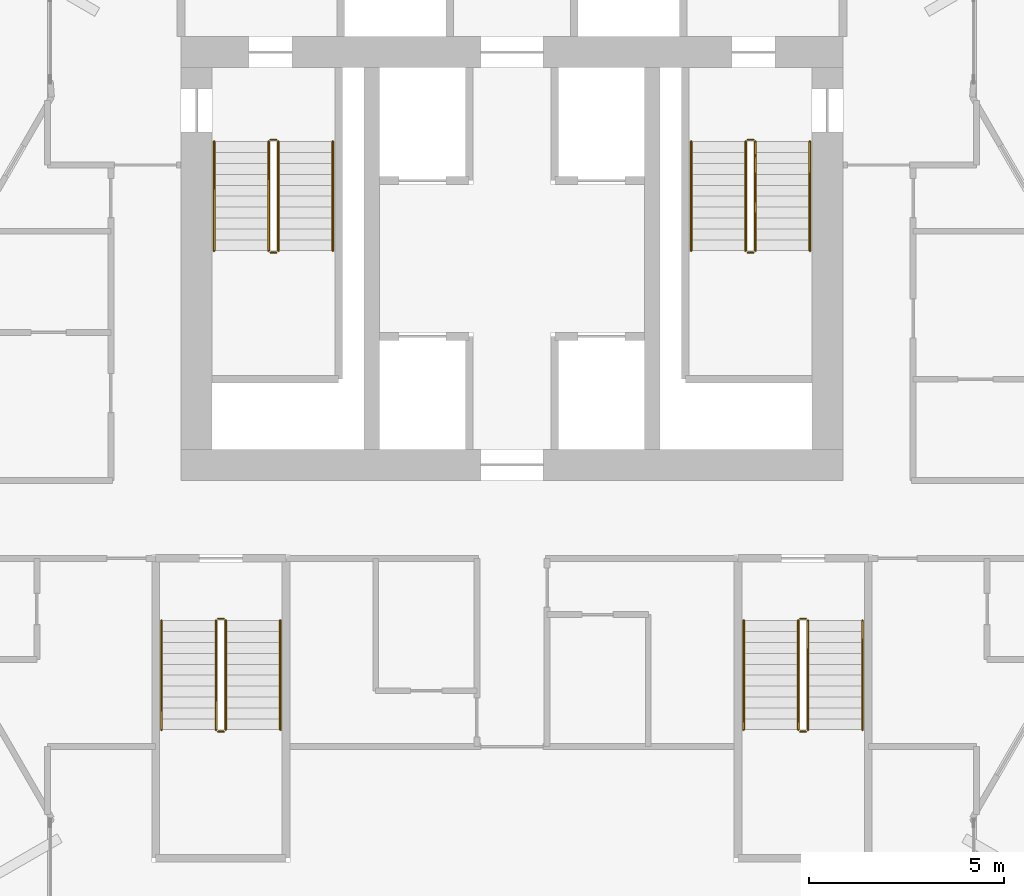
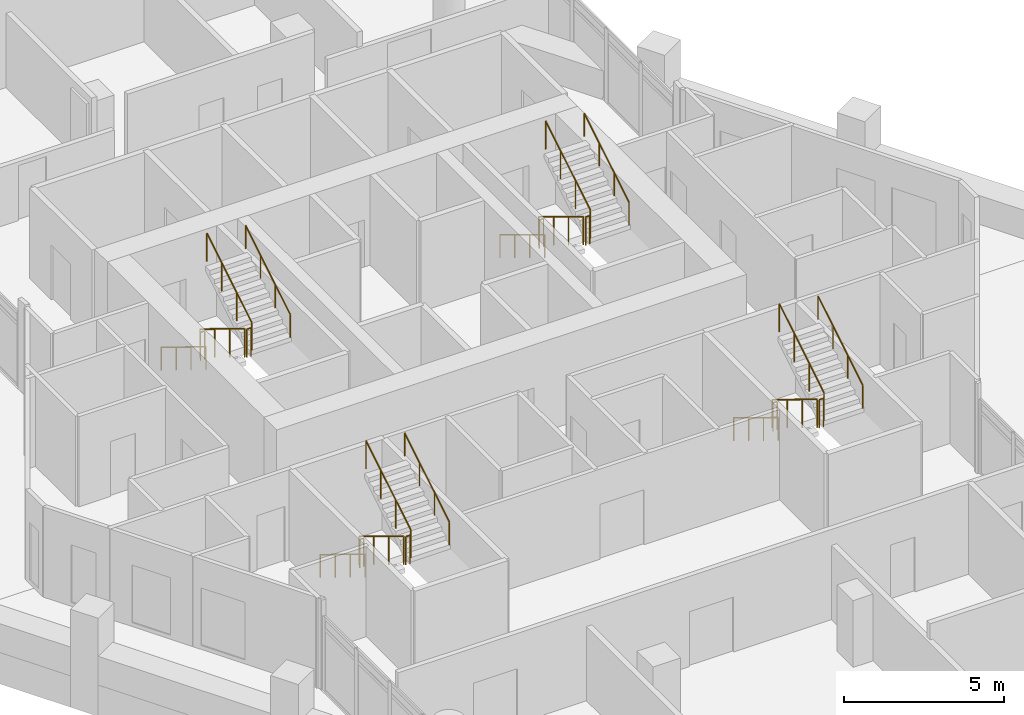
# One storey, part 29 of 29: 24 railings.
"""IFC4 building model written with IfcOpenShell, lengths in metres."""

from ifc_helpers import new_model, si_unit, direction, frame, origin, origin_2d, place, context, subcontext, project, spatial, circle, extrude, material, type_object, element, save


model = new_model("IFC4")

# Units and contexts
model_context = context("Model", 3, precision=1e-05, world=origin(), true_north=direction((0.0, 1.0)))
body_context = subcontext(model_context, "Body", "Model", "MODEL_VIEW")
ifc_project = project(units=[si_unit("LENGTHUNIT", "METRE"), si_unit("AREAUNIT", "SQUARE_METRE"), si_unit("VOLUMEUNIT", "CUBIC_METRE"), si_unit("PLANEANGLEUNIT", "RADIAN"), si_unit("MASSUNIT", "GRAM", prefix="KILO")], contexts=[model_context])

# Site, building, storey
site_placement = place(None, origin())
site = spatial("IfcSite", under=ifc_project, at=site_placement, CompositionType="ELEMENT")
building_placement = place(site_placement, origin())
building = spatial("IfcBuilding", under=site, at=building_placement, Name="Ostrander Bayou Hotel Tower", CompositionType="ELEMENT")
storey_placement = place(building_placement, frame((0.0, 0.0, 205.75)))
storey = spatial("IfcBuildingStorey", under=building, at=storey_placement, Name="L51", CompositionType="ELEMENT", Elevation=205.75)

# Railings
ifc_material_1 = material(Name="Steel ASTM A500 Gr C", Category="steel")
railing_type_1 = type_object("IfcRailingType", Name="GR1 stair guard 1100 mm steel", PredefinedType="GUARDRAIL", material=ifc_material_1)
railing_1_placement = place(storey_placement, frame((-6.25, 7.0, 0.17041015625)))
element("IfcRailing", 1, at=railing_1_placement, inside=storey, type_object=railing_type_1, Name="L51 STA stair guard 1", PredefinedType="GUARDRAIL", context=body_context, shape_type="SweptSolid", body=[
    extrude(circle(Radius=0.02392578125, at=origin_2d()), frame((0.0, 0.0, 1.076171875), z_axis=(0.0, -0.854169791009, 0.51999420009), x_axis=(1.0, 0.0, 0.0)), (0.0, 0.0, 1.0), 3.278076171875),
    extrude(circle(Radius=0.02099609375, at=origin_2d()), origin(), (0.0, 0.0, 1.0), 1.052001953125),
    extrude(circle(Radius=0.02099609375, at=origin_2d()), frame((0.0, -0.933349609375, 0.568115234375)), (0.0, 0.0, 1.0), 1.052001953125),
    extrude(circle(Radius=0.02099609375, at=origin_2d()), frame((0.0, -1.86669921875, 1.136474609375)), (0.0, 0.0, 1.0), 1.052001953125),
    extrude(circle(Radius=0.02099609375, at=origin_2d()), frame((0.0, -2.800048828125, 1.70458984375)), (0.0, 0.0, 1.0), 1.052001953125),
])
railing_2_placement = place(storey_placement, frame((-6.199951171875, 4.14990234375, 1.875)))
element("IfcRailing", 2, at=railing_2_placement, inside=storey, type_object=railing_type_1, Name="L51 STA stair guard 2", PredefinedType="GUARDRAIL", context=body_context, shape_type="SweptSolid", body=[
    extrude(circle(Radius=0.02392578125, at=origin_2d()), frame((0.0, 0.0, 1.076171875), z_axis=(1.0, 0.0, 0.0), x_axis=(0.0, 1.0, 0.0)), (0.0, 0.0, 1.0), 0.14990234375),
    extrude(circle(Radius=0.02099609375, at=origin_2d()), origin(), (0.0, 0.0, 1.0), 1.052001953125),
    extrude(circle(Radius=0.02099609375, at=origin_2d()), frame((0.14990234375, 0.0, 0.0)), (0.0, 0.0, 1.0), 1.052001953125),
])
railing_3_placement = place(storey_placement, frame((-6.0, 4.199951171875, 2.04541015625)))
element("IfcRailing", 3, at=railing_3_placement, inside=storey, type_object=railing_type_1, Name="L51 STA stair guard 3", PredefinedType="GUARDRAIL", context=body_context, shape_type="SweptSolid", body=[
    extrude(circle(Radius=0.02392578125, at=origin_2d()), frame((0.0, 0.0, 1.076171875), z_axis=(0.0, 0.854169791009, 0.51999420009), x_axis=(-1.0, 0.0, 0.0)), (0.0, 0.0, 1.0), 3.278076171875),
    extrude(circle(Radius=0.02099609375, at=origin_2d()), origin(), (0.0, 0.0, 1.0), 1.052001953125),
    extrude(circle(Radius=0.02099609375, at=origin_2d()), frame((0.0, 0.933349609375, 0.568115234375)), (0.0, 0.0, 1.0), 1.052001953125),
    extrude(circle(Radius=0.02099609375, at=origin_2d()), frame((0.0, 1.86669921875, 1.136474609375)), (0.0, 0.0, 1.0), 1.052001953125),
    extrude(circle(Radius=0.02099609375, at=origin_2d()), frame((0.0, 2.800048828125, 1.70458984375)), (0.0, 0.0, 1.0), 1.052001953125),
])
railing_4_placement = place(storey_placement, frame((-6.199951171875, 7.050048828125, 0.0)))
element("IfcRailing", 4, at=railing_4_placement, inside=storey, type_object=railing_type_1, Name="L51 STA stair guard 4", PredefinedType="GUARDRAIL", context=body_context, shape_type="SweptSolid", body=[
    extrude(circle(Radius=0.02392578125, at=origin_2d()), frame((0.0, 0.0, 1.076171875), z_axis=(1.0, 0.0, 0.0), x_axis=(0.0, 1.0, 0.0)), (0.0, 0.0, 1.0), 0.14990234375),
    extrude(circle(Radius=0.02099609375, at=origin_2d()), origin(), (0.0, 0.0, 1.0), 1.052001953125),
    extrude(circle(Radius=0.02099609375, at=origin_2d()), frame((0.14990234375, 0.0, 0.0)), (0.0, 0.0, 1.0), 1.052001953125),
])
railing_5_placement = place(storey_placement, frame((6.0, 7.0, 0.17041015625)))
element("IfcRailing", 5, at=railing_5_placement, inside=storey, type_object=railing_type_1, Name="L51 STB stair guard 1", PredefinedType="GUARDRAIL", context=body_context, shape_type="SweptSolid", body=[
    extrude(circle(Radius=0.02392578125, at=origin_2d()), frame((0.0, 0.0, 1.076171875), z_axis=(0.0, -0.854169791009, 0.51999420009), x_axis=(1.0, 0.0, 0.0)), (0.0, 0.0, 1.0), 3.278076171875),
    extrude(circle(Radius=0.02099609375, at=origin_2d()), origin(), (0.0, 0.0, 1.0), 1.052001953125),
    extrude(circle(Radius=0.02099609375, at=origin_2d()), frame((0.0, -0.933349609375, 0.568115234375)), (0.0, 0.0, 1.0), 1.052001953125),
    extrude(circle(Radius=0.02099609375, at=origin_2d()), frame((0.0, -1.86669921875, 1.136474609375)), (0.0, 0.0, 1.0), 1.052001953125),
    extrude(circle(Radius=0.02099609375, at=origin_2d()), frame((0.0, -2.800048828125, 1.70458984375)), (0.0, 0.0, 1.0), 1.052001953125),
])
railing_6_placement = place(storey_placement, frame((6.050048828125, 4.14990234375, 1.875)))
element("IfcRailing", 6, at=railing_6_placement, inside=storey, type_object=railing_type_1, Name="L51 STB stair guard 2", PredefinedType="GUARDRAIL", context=body_context, shape_type="SweptSolid", body=[
    extrude(circle(Radius=0.02392578125, at=origin_2d()), frame((0.0, 0.0, 1.076171875), z_axis=(1.0, 0.0, 0.0), x_axis=(0.0, 1.0, 0.0)), (0.0, 0.0, 1.0), 0.14990234375),
    extrude(circle(Radius=0.02099609375, at=origin_2d()), origin(), (0.0, 0.0, 1.0), 1.052001953125),
    extrude(circle(Radius=0.02099609375, at=origin_2d()), frame((0.14990234375, 0.0, 0.0)), (0.0, 0.0, 1.0), 1.052001953125),
])
railing_7_placement = place(storey_placement, frame((6.25, 4.199951171875, 2.04541015625)))
element("IfcRailing", 7, at=railing_7_placement, inside=storey, type_object=railing_type_1, Name="L51 STB stair guard 3", PredefinedType="GUARDRAIL", context=body_context, shape_type="SweptSolid", body=[
    extrude(circle(Radius=0.02392578125, at=origin_2d()), frame((0.0, 0.0, 1.076171875), z_axis=(0.0, 0.854169791009, 0.51999420009), x_axis=(-1.0, 0.0, 0.0)), (0.0, 0.0, 1.0), 3.278076171875),
    extrude(circle(Radius=0.02099609375, at=origin_2d()), origin(), (0.0, 0.0, 1.0), 1.052001953125),
    extrude(circle(Radius=0.02099609375, at=origin_2d()), frame((0.0, 0.933349609375, 0.568115234375)), (0.0, 0.0, 1.0), 1.052001953125),
    extrude(circle(Radius=0.02099609375, at=origin_2d()), frame((0.0, 1.86669921875, 1.136474609375)), (0.0, 0.0, 1.0), 1.052001953125),
    extrude(circle(Radius=0.02099609375, at=origin_2d()), frame((0.0, 2.800048828125, 1.70458984375)), (0.0, 0.0, 1.0), 1.052001953125),
])
railing_8_placement = place(storey_placement, frame((6.050048828125, 7.050048828125, 0.0)))
element("IfcRailing", 8, at=railing_8_placement, inside=storey, type_object=railing_type_1, Name="L51 STB stair guard 4", PredefinedType="GUARDRAIL", context=body_context, shape_type="SweptSolid", body=[
    extrude(circle(Radius=0.02392578125, at=origin_2d()), frame((0.0, 0.0, 1.076171875), z_axis=(1.0, 0.0, 0.0), x_axis=(0.0, 1.0, 0.0)), (0.0, 0.0, 1.0), 0.14990234375),
    extrude(circle(Radius=0.02099609375, at=origin_2d()), origin(), (0.0, 0.0, 1.0), 1.052001953125),
    extrude(circle(Radius=0.02099609375, at=origin_2d()), frame((0.14990234375, 0.0, 0.0)), (0.0, 0.0, 1.0), 1.052001953125),
])
railing_9_placement = place(storey_placement, frame((7.35009765625, -5.300048828125, 0.17041015625)))
element("IfcRailing", 9, at=railing_9_placement, inside=storey, type_object=railing_type_1, Name="L51 STC stair guard 1", PredefinedType="GUARDRAIL", context=body_context, shape_type="SweptSolid", body=[
    extrude(circle(Radius=0.02392578125, at=origin_2d()), frame((0.0, 0.0, 1.076171875), z_axis=(0.0, -0.854169791009, 0.51999420009), x_axis=(1.0, 0.0, 0.0)), (0.0, 0.0, 1.0), 3.278076171875),
    extrude(circle(Radius=0.02099609375, at=origin_2d()), origin(), (0.0, 0.0, 1.0), 1.052001953125),
    extrude(circle(Radius=0.02099609375, at=origin_2d()), frame((0.0, -0.933349609375, 0.568115234375)), (0.0, 0.0, 1.0), 1.052001953125),
    extrude(circle(Radius=0.02099609375, at=origin_2d()), frame((0.0, -1.86669921875, 1.136474609375)), (0.0, 0.0, 1.0), 1.052001953125),
    extrude(circle(Radius=0.02099609375, at=origin_2d()), frame((0.0, -2.800048828125, 1.70458984375)), (0.0, 0.0, 1.0), 1.052001953125),
])
railing_10_placement = place(storey_placement, frame((7.39990234375, -8.14990234375, 1.875)))
element("IfcRailing", 10, at=railing_10_placement, inside=storey, type_object=railing_type_1, Name="L51 STC stair guard 2", PredefinedType="GUARDRAIL", context=body_context, shape_type="SweptSolid", body=[
    extrude(circle(Radius=0.02392578125, at=origin_2d()), frame((0.0, 0.0, 1.076171875), z_axis=(1.0, 0.0, 0.0), x_axis=(0.0, 1.0, 0.0)), (0.0, 0.0, 1.0), 0.150146484375),
    extrude(circle(Radius=0.02099609375, at=origin_2d()), origin(), (0.0, 0.0, 1.0), 1.052001953125),
    extrude(circle(Radius=0.02099609375, at=origin_2d()), frame((0.150146484375, 0.0, 0.0)), (0.0, 0.0, 1.0), 1.052001953125),
])
railing_11_placement = place(storey_placement, frame((7.60009765625, -8.10009765625, 2.04541015625)))
element("IfcRailing", 11, at=railing_11_placement, inside=storey, type_object=railing_type_1, Name="L51 STC stair guard 3", PredefinedType="GUARDRAIL", context=body_context, shape_type="SweptSolid", body=[
    extrude(circle(Radius=0.02392578125, at=origin_2d()), frame((0.0, 0.0, 1.076171875), z_axis=(0.0, 0.854169791009, 0.51999420009), x_axis=(-1.0, 0.0, 0.0)), (0.0, 0.0, 1.0), 3.278076171875),
    extrude(circle(Radius=0.02099609375, at=origin_2d()), origin(), (0.0, 0.0, 1.0), 1.052001953125),
    extrude(circle(Radius=0.02099609375, at=origin_2d()), frame((0.0, 0.933349609375, 0.568115234375)), (0.0, 0.0, 1.0), 1.052001953125),
    extrude(circle(Radius=0.02099609375, at=origin_2d()), frame((0.0, 1.86669921875, 1.136474609375)), (0.0, 0.0, 1.0), 1.052001953125),
    extrude(circle(Radius=0.02099609375, at=origin_2d()), frame((0.0, 2.800048828125, 1.70458984375)), (0.0, 0.0, 1.0), 1.052001953125),
])
railing_12_placement = place(storey_placement, frame((7.39990234375, -5.25, 0.0)))
element("IfcRailing", 12, at=railing_12_placement, inside=storey, type_object=railing_type_1, Name="L51 STC stair guard 4", PredefinedType="GUARDRAIL", context=body_context, shape_type="SweptSolid", body=[
    extrude(circle(Radius=0.02392578125, at=origin_2d()), frame((0.0, 0.0, 1.076171875), z_axis=(1.0, 0.0, 0.0), x_axis=(0.0, 1.0, 0.0)), (0.0, 0.0, 1.0), 0.150146484375),
    extrude(circle(Radius=0.02099609375, at=origin_2d()), origin(), (0.0, 0.0, 1.0), 1.052001953125),
    extrude(circle(Radius=0.02099609375, at=origin_2d()), frame((0.150146484375, 0.0, 0.0)), (0.0, 0.0, 1.0), 1.052001953125),
])
railing_13_placement = place(storey_placement, frame((-7.60009765625, -5.300048828125, 0.17041015625)))
element("IfcRailing", 13, at=railing_13_placement, inside=storey, type_object=railing_type_1, Name="L51 STD stair guard 1", PredefinedType="GUARDRAIL", context=body_context, shape_type="SweptSolid", body=[
    extrude(circle(Radius=0.02392578125, at=origin_2d()), frame((0.0, 0.0, 1.076171875), z_axis=(0.0, -0.854169791009, 0.51999420009), x_axis=(1.0, 0.0, 0.0)), (0.0, 0.0, 1.0), 3.278076171875),
    extrude(circle(Radius=0.02099609375, at=origin_2d()), origin(), (0.0, 0.0, 1.0), 1.052001953125),
    extrude(circle(Radius=0.02099609375, at=origin_2d()), frame((0.0, -0.933349609375, 0.568115234375)), (0.0, 0.0, 1.0), 1.052001953125),
    extrude(circle(Radius=0.02099609375, at=origin_2d()), frame((0.0, -1.86669921875, 1.136474609375)), (0.0, 0.0, 1.0), 1.052001953125),
    extrude(circle(Radius=0.02099609375, at=origin_2d()), frame((0.0, -2.800048828125, 1.70458984375)), (0.0, 0.0, 1.0), 1.052001953125),
])
railing_14_placement = place(storey_placement, frame((-7.550048828125, -8.14990234375, 1.875)))
element("IfcRailing", 14, at=railing_14_placement, inside=storey, type_object=railing_type_1, Name="L51 STD stair guard 2", PredefinedType="GUARDRAIL", context=body_context, shape_type="SweptSolid", body=[
    extrude(circle(Radius=0.02392578125, at=origin_2d()), frame((0.0, 0.0, 1.076171875), z_axis=(1.0, 0.0, 0.0), x_axis=(0.0, 1.0, 0.0)), (0.0, 0.0, 1.0), 0.150146484375),
    extrude(circle(Radius=0.02099609375, at=origin_2d()), origin(), (0.0, 0.0, 1.0), 1.052001953125),
    extrude(circle(Radius=0.02099609375, at=origin_2d()), frame((0.150146484375, 0.0, 0.0)), (0.0, 0.0, 1.0), 1.052001953125),
])
railing_15_placement = place(storey_placement, frame((-7.35009765625, -8.10009765625, 2.04541015625)))
element("IfcRailing", 15, at=railing_15_placement, inside=storey, type_object=railing_type_1, Name="L51 STD stair guard 3", PredefinedType="GUARDRAIL", context=body_context, shape_type="SweptSolid", body=[
    extrude(circle(Radius=0.02392578125, at=origin_2d()), frame((0.0, 0.0, 1.076171875), z_axis=(0.0, 0.854169791009, 0.51999420009), x_axis=(-1.0, 0.0, 0.0)), (0.0, 0.0, 1.0), 3.278076171875),
    extrude(circle(Radius=0.02099609375, at=origin_2d()), origin(), (0.0, 0.0, 1.0), 1.052001953125),
    extrude(circle(Radius=0.02099609375, at=origin_2d()), frame((0.0, 0.933349609375, 0.568115234375)), (0.0, 0.0, 1.0), 1.052001953125),
    extrude(circle(Radius=0.02099609375, at=origin_2d()), frame((0.0, 1.86669921875, 1.136474609375)), (0.0, 0.0, 1.0), 1.052001953125),
    extrude(circle(Radius=0.02099609375, at=origin_2d()), frame((0.0, 2.800048828125, 1.70458984375)), (0.0, 0.0, 1.0), 1.052001953125),
])
railing_16_placement = place(storey_placement, frame((-7.550048828125, -5.25, 0.0)))
element("IfcRailing", 16, at=railing_16_placement, inside=storey, type_object=railing_type_1, Name="L51 STD stair guard 4", PredefinedType="GUARDRAIL", context=body_context, shape_type="SweptSolid", body=[
    extrude(circle(Radius=0.02392578125, at=origin_2d()), frame((0.0, 0.0, 1.076171875), z_axis=(1.0, 0.0, 0.0), x_axis=(0.0, 1.0, 0.0)), (0.0, 0.0, 1.0), 0.150146484375),
    extrude(circle(Radius=0.02099609375, at=origin_2d()), origin(), (0.0, 0.0, 1.0), 1.052001953125),
    extrude(circle(Radius=0.02099609375, at=origin_2d()), frame((0.150146484375, 0.0, 0.0)), (0.0, 0.0, 1.0), 1.052001953125),
])
ifc_material_2 = material(Name="Steel ASTM A500 Gr C", Category="steel")
railing_type_2 = type_object("IfcRailingType", Name="HR1 stair handrail 900 mm steel", PredefinedType="HANDRAIL", material=ifc_material_2)
railing_17_placement = place(storey_placement, frame((-7.64990234375, 7.0, 0.17041015625)))
element("IfcRailing", 17, at=railing_17_placement, inside=storey, type_object=railing_type_2, Name="L51 STA stair handrail 1", PredefinedType="HANDRAIL", context=body_context, shape_type="SweptSolid", body=[
    extrude(circle(Radius=0.02392578125, at=origin_2d()), frame((0.0, 0.0, 0.8759765625), z_axis=(0.0, -0.854169791009, 0.51999420009), x_axis=(1.0, 0.0, 0.0)), (0.0, 0.0, 1.0), 3.278076171875),
    extrude(circle(Radius=0.02099609375, at=origin_2d()), origin(), (0.0, 0.0, 1.0), 0.851806640625),
    extrude(circle(Radius=0.02099609375, at=origin_2d()), frame((0.0, -0.933349609375, 0.568115234375)), (0.0, 0.0, 1.0), 0.851806640625),
    extrude(circle(Radius=0.02099609375, at=origin_2d()), frame((0.0, -1.86669921875, 1.136474609375)), (0.0, 0.0, 1.0), 0.851806640625),
    extrude(circle(Radius=0.02099609375, at=origin_2d()), frame((0.0, -2.800048828125, 1.70458984375)), (0.0, 0.0, 1.0), 0.851806640625),
])
railing_18_placement = place(storey_placement, frame((-4.60009765625, 4.199951171875, 2.04541015625)))
element("IfcRailing", 18, at=railing_18_placement, inside=storey, type_object=railing_type_2, Name="L51 STA stair handrail 2", PredefinedType="HANDRAIL", context=body_context, shape_type="SweptSolid", body=[
    extrude(circle(Radius=0.02392578125, at=origin_2d()), frame((0.0, 0.0, 0.8759765625), z_axis=(0.0, 0.854169791009, 0.51999420009), x_axis=(-1.0, 0.0, 0.0)), (0.0, 0.0, 1.0), 3.278076171875),
    extrude(circle(Radius=0.02099609375, at=origin_2d()), origin(), (0.0, 0.0, 1.0), 0.851806640625),
    extrude(circle(Radius=0.02099609375, at=origin_2d()), frame((0.0, 0.933349609375, 0.568115234375)), (0.0, 0.0, 1.0), 0.851806640625),
    extrude(circle(Radius=0.02099609375, at=origin_2d()), frame((0.0, 1.86669921875, 1.136474609375)), (0.0, 0.0, 1.0), 0.851806640625),
    extrude(circle(Radius=0.02099609375, at=origin_2d()), frame((0.0, 2.800048828125, 1.70458984375)), (0.0, 0.0, 1.0), 0.851806640625),
])
railing_19_placement = place(storey_placement, frame((4.60009765625, 7.0, 0.17041015625)))
element("IfcRailing", 19, at=railing_19_placement, inside=storey, type_object=railing_type_2, Name="L51 STB stair handrail 1", PredefinedType="HANDRAIL", context=body_context, shape_type="SweptSolid", body=[
    extrude(circle(Radius=0.02392578125, at=origin_2d()), frame((0.0, 0.0, 0.8759765625), z_axis=(0.0, -0.854169791009, 0.51999420009), x_axis=(1.0, 0.0, 0.0)), (0.0, 0.0, 1.0), 3.278076171875),
    extrude(circle(Radius=0.02099609375, at=origin_2d()), origin(), (0.0, 0.0, 1.0), 0.851806640625),
    extrude(circle(Radius=0.02099609375, at=origin_2d()), frame((0.0, -0.933349609375, 0.568115234375)), (0.0, 0.0, 1.0), 0.851806640625),
    extrude(circle(Radius=0.02099609375, at=origin_2d()), frame((0.0, -1.86669921875, 1.136474609375)), (0.0, 0.0, 1.0), 0.851806640625),
    extrude(circle(Radius=0.02099609375, at=origin_2d()), frame((0.0, -2.800048828125, 1.70458984375)), (0.0, 0.0, 1.0), 0.851806640625),
])
railing_20_placement = place(storey_placement, frame((7.64990234375, 4.199951171875, 2.04541015625)))
element("IfcRailing", 20, at=railing_20_placement, inside=storey, type_object=railing_type_2, Name="L51 STB stair handrail 2", PredefinedType="HANDRAIL", context=body_context, shape_type="SweptSolid", body=[
    extrude(circle(Radius=0.02392578125, at=origin_2d()), frame((0.0, 0.0, 0.8759765625), z_axis=(0.0, 0.854169791009, 0.51999420009), x_axis=(-1.0, 0.0, 0.0)), (0.0, 0.0, 1.0), 3.278076171875),
    extrude(circle(Radius=0.02099609375, at=origin_2d()), origin(), (0.0, 0.0, 1.0), 0.851806640625),
    extrude(circle(Radius=0.02099609375, at=origin_2d()), frame((0.0, 0.933349609375, 0.568115234375)), (0.0, 0.0, 1.0), 0.851806640625),
    extrude(circle(Radius=0.02099609375, at=origin_2d()), frame((0.0, 1.86669921875, 1.136474609375)), (0.0, 0.0, 1.0), 0.851806640625),
    extrude(circle(Radius=0.02099609375, at=origin_2d()), frame((0.0, 2.800048828125, 1.70458984375)), (0.0, 0.0, 1.0), 0.851806640625),
])
railing_21_placement = place(storey_placement, frame((5.949951171875, -5.300048828125, 0.17041015625)))
element("IfcRailing", 21, at=railing_21_placement, inside=storey, type_object=railing_type_2, Name="L51 STC stair handrail 1", PredefinedType="HANDRAIL", context=body_context, shape_type="SweptSolid", body=[
    extrude(circle(Radius=0.02392578125, at=origin_2d()), frame((0.0, 0.0, 0.8759765625), z_axis=(0.0, -0.854169791009, 0.51999420009), x_axis=(1.0, 0.0, 0.0)), (0.0, 0.0, 1.0), 3.278076171875),
    extrude(circle(Radius=0.02099609375, at=origin_2d()), origin(), (0.0, 0.0, 1.0), 0.851806640625),
    extrude(circle(Radius=0.02099609375, at=origin_2d()), frame((0.0, -0.933349609375, 0.568115234375)), (0.0, 0.0, 1.0), 0.851806640625),
    extrude(circle(Radius=0.02099609375, at=origin_2d()), frame((0.0, -1.86669921875, 1.136474609375)), (0.0, 0.0, 1.0), 0.851806640625),
    extrude(circle(Radius=0.02099609375, at=origin_2d()), frame((0.0, -2.800048828125, 1.70458984375)), (0.0, 0.0, 1.0), 0.851806640625),
])
railing_22_placement = place(storey_placement, frame((9.0, -8.10009765625, 2.04541015625)))
element("IfcRailing", 22, at=railing_22_placement, inside=storey, type_object=railing_type_2, Name="L51 STC stair handrail 2", PredefinedType="HANDRAIL", context=body_context, shape_type="SweptSolid", body=[
    extrude(circle(Radius=0.02392578125, at=origin_2d()), frame((0.0, 0.0, 0.8759765625), z_axis=(0.0, 0.854169791009, 0.51999420009), x_axis=(-1.0, 0.0, 0.0)), (0.0, 0.0, 1.0), 3.278076171875),
    extrude(circle(Radius=0.02099609375, at=origin_2d()), origin(), (0.0, 0.0, 1.0), 0.851806640625),
    extrude(circle(Radius=0.02099609375, at=origin_2d()), frame((0.0, 0.933349609375, 0.568115234375)), (0.0, 0.0, 1.0), 0.851806640625),
    extrude(circle(Radius=0.02099609375, at=origin_2d()), frame((0.0, 1.86669921875, 1.136474609375)), (0.0, 0.0, 1.0), 0.851806640625),
    extrude(circle(Radius=0.02099609375, at=origin_2d()), frame((0.0, 2.800048828125, 1.70458984375)), (0.0, 0.0, 1.0), 0.851806640625),
])
railing_23_placement = place(storey_placement, frame((-9.0, -5.300048828125, 0.17041015625)))
element("IfcRailing", 23, at=railing_23_placement, inside=storey, type_object=railing_type_2, Name="L51 STD stair handrail 1", PredefinedType="HANDRAIL", context=body_context, shape_type="SweptSolid", body=[
    extrude(circle(Radius=0.02392578125, at=origin_2d()), frame((0.0, 0.0, 0.8759765625), z_axis=(0.0, -0.854169791009, 0.51999420009), x_axis=(1.0, 0.0, 0.0)), (0.0, 0.0, 1.0), 3.278076171875),
    extrude(circle(Radius=0.02099609375, at=origin_2d()), origin(), (0.0, 0.0, 1.0), 0.851806640625),
    extrude(circle(Radius=0.02099609375, at=origin_2d()), frame((0.0, -0.933349609375, 0.568115234375)), (0.0, 0.0, 1.0), 0.851806640625),
    extrude(circle(Radius=0.02099609375, at=origin_2d()), frame((0.0, -1.86669921875, 1.136474609375)), (0.0, 0.0, 1.0), 0.851806640625),
    extrude(circle(Radius=0.02099609375, at=origin_2d()), frame((0.0, -2.800048828125, 1.70458984375)), (0.0, 0.0, 1.0), 0.851806640625),
])
railing_24_placement = place(storey_placement, frame((-5.949951171875, -8.10009765625, 2.04541015625)))
element("IfcRailing", 24, at=railing_24_placement, inside=storey, type_object=railing_type_2, Name="L51 STD stair handrail 2", PredefinedType="HANDRAIL", context=body_context, shape_type="SweptSolid", body=[
    extrude(circle(Radius=0.02392578125, at=origin_2d()), frame((0.0, 0.0, 0.8759765625), z_axis=(0.0, 0.854169791009, 0.51999420009), x_axis=(-1.0, 0.0, 0.0)), (0.0, 0.0, 1.0), 3.278076171875),
    extrude(circle(Radius=0.02099609375, at=origin_2d()), origin(), (0.0, 0.0, 1.0), 0.851806640625),
    extrude(circle(Radius=0.02099609375, at=origin_2d()), frame((0.0, 0.933349609375, 0.568115234375)), (0.0, 0.0, 1.0), 0.851806640625),
    extrude(circle(Radius=0.02099609375, at=origin_2d()), frame((0.0, 1.86669921875, 1.136474609375)), (0.0, 0.0, 1.0), 0.851806640625),
    extrude(circle(Radius=0.02099609375, at=origin_2d()), frame((0.0, 2.800048828125, 1.70458984375)), (0.0, 0.0, 1.0), 0.851806640625),
])

save(model, "model.ifc")
